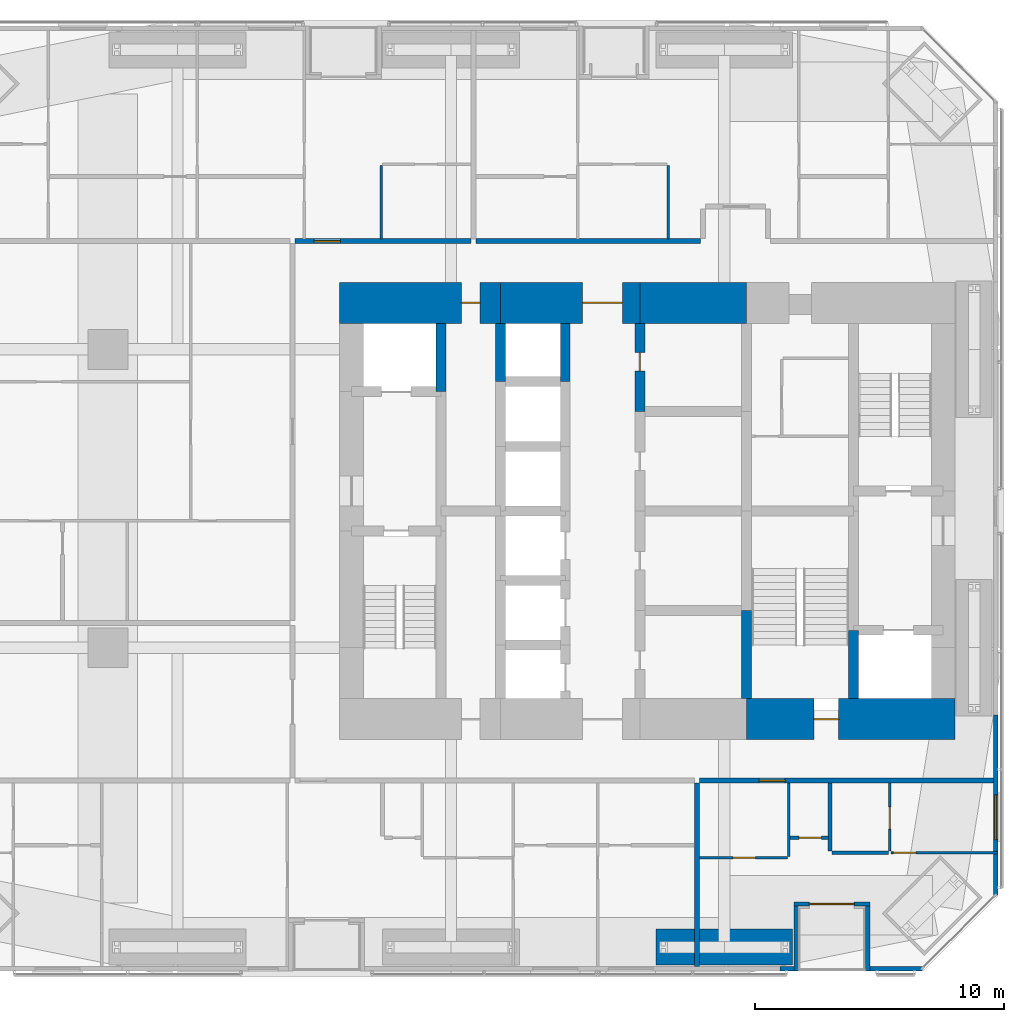
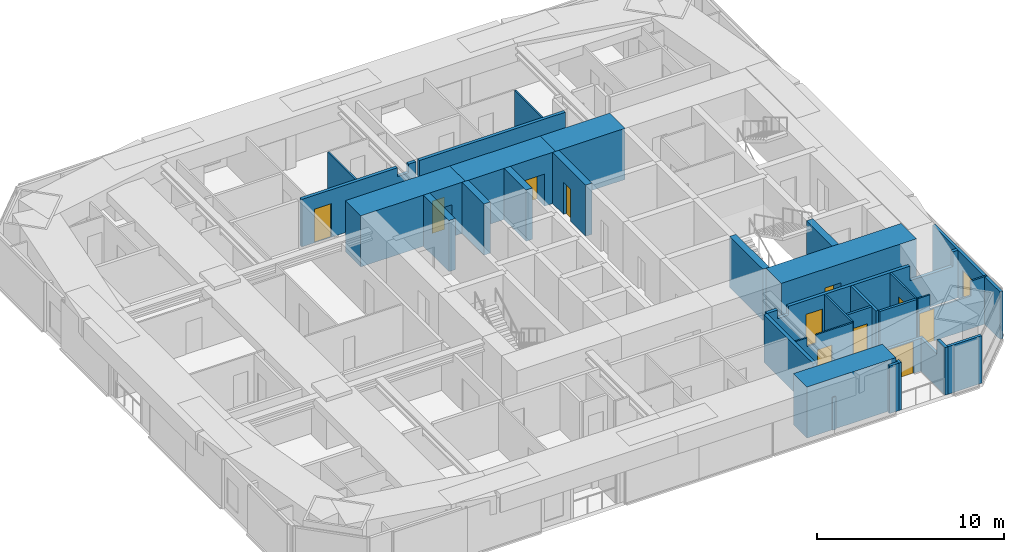
# One storey, part 18 of 22: 30 walls, 11 doors, 1 window, 12 openings.
"""IFC4 building model written with IfcOpenShell, lengths in metres."""

from ifc_helpers import new_model, si_unit, direction, frame, frame_2d, origin, place, context, subcontext, project, spatial, polyline, rectangle, outline, extrude, material, layer, layer_set, constituent, constituent_set, type_object, element, fill, save


model = new_model("IFC4")

# Units and contexts
model_context = context("Model", 3, precision=1e-05, world=origin(), true_north=direction((0.0, 1.0)))
body_context = subcontext(model_context, "Body", "Model", "MODEL_VIEW")
ifc_project = project(units=[si_unit("LENGTHUNIT", "METRE"), si_unit("AREAUNIT", "SQUARE_METRE"), si_unit("VOLUMEUNIT", "CUBIC_METRE"), si_unit("PLANEANGLEUNIT", "RADIAN"), si_unit("MASSUNIT", "GRAM", prefix="KILO")], contexts=[model_context])

# Site, building, storey
site_placement = place(None, origin())
site = spatial("IfcSite", under=ifc_project, at=site_placement, CompositionType="ELEMENT")
building_placement = place(site_placement, origin())
building = spatial("IfcBuilding", under=site, at=building_placement, Name="Jalousie Tower", CompositionType="ELEMENT")
storey_placement = place(building_placement, frame((0.0, 0.0, 67.89990234375)))
storey = spatial("IfcBuildingStorey", under=building, at=storey_placement, Name="L18", CompositionType="ELEMENT", Elevation=67.89990234375)

# Walls
ifc_material_1 = material(Name="Concrete block ASTM C90", Category="concrete")
ifc_constituent_1 = constituent(ifc_material_1, Name="Body")
ifc_material_2 = material(Name="Render")
ifc_constituent_2 = constituent(ifc_material_2, Name="Finish")
ifc_constituent_set_1 = constituent_set(constituents=[ifc_constituent_1, ifc_constituent_2])
wall_type_1 = type_object("IfcWallType", Name="BATHROOM WALL 150", PredefinedType="PLUMBINGWALL", material=ifc_constituent_set_1)
wall_1_placement = place(storey_placement, frame((39.324951171875, 4.74658203125, 0.0), z_axis=(0.0, 0.0, 1.0), x_axis=(1.0, 0.0, 0.0)))
element("IfcWall", 1, at=wall_1_placement, inside=storey, type_object=wall_type_1, Name="Bathroom Wall 150 L18", PredefinedType="PLUMBINGWALL", context=body_context, shape_type="SweptSolid", body=[
    extrude(rectangle(XDim=2.275146484375, YDim=0.14990234375, at=frame_2d((1.1376953125, 0.0))), origin(), (0.0, 0.0, 1.0), 3.110107421875),
])
wall_2_placement = place(storey_placement, frame((39.25, 4.82177734375, 0.0), z_axis=(0.0, 0.0, 1.0), x_axis=(0.0, 1.0, 0.0)))
element("IfcWall", 2, at=wall_2_placement, inside=storey, type_object=wall_type_1, Name="Bathroom Wall 150 L18", PredefinedType="PLUMBINGWALL", context=body_context, shape_type="SweptSolid", body=[
    extrude(rectangle(XDim=2.728271484375, YDim=0.14990234375, at=frame_2d((1.3642578125, 0.0))), origin(), (0.0, 0.0, 1.0), 3.110107421875),
])

# Wall, opening, door
wall_3_placement = place(storey_placement, frame((37.64990234375, 5.35009765625, 0.0), z_axis=(0.0, 0.0, 1.0), x_axis=(1.0, 0.0, 0.0)))
wall_3 = element("IfcWall", 3, at=wall_3_placement, inside=storey, type_object=wall_type_1, Name="Bathroom Wall 150 L18", PredefinedType="PLUMBINGWALL", context=body_context, shape_type="SweptSolid", body=[
    extrude(rectangle(XDim=1.550048828125, YDim=0.14990234375, at=frame_2d((0.77490234375, 0.0))), origin(), (0.0, 0.0, 1.0), 3.110107421875),
])
opening_1_placement = place(wall_3_placement, frame((0.35009765625, 0.0, 0.0)))
opening_1 = element("IfcOpeningElement", 4, at=opening_1_placement, cuts=wall_3, Name="Opening D7", PredefinedType="OPENING", context=body_context, shape_type="SweptSolid", body=[
    extrude(rectangle(XDim=0.89990234375, YDim=2.10009765625, at=frame_2d((0.449951171875, 1.050048828125))), frame((0.0, 0.0849609375, 0.0), z_axis=(0.0, -1.0, 0.0), x_axis=(1.0, 0.0, 0.0)), (0.0, 0.0, 1.0), 0.169921875),
])
ifc_material_3 = material(Name="Timber door", Category="wood")
door_type_1 = type_object("IfcDoorType", Name="INTERNAL DOOR 900", OperationType="SINGLE_SWING_LEFT", PredefinedType="DOOR", material=ifc_material_3)
door_1_placement = place(opening_1_placement, origin())
door_1 = element("IfcDoor", 5, at=door_1_placement, inside=storey, type_object=door_type_1, Name="Apartment 1802 guest WC door", OperationType="SINGLE_SWING_RIGHT", OverallHeight=2.10009765625, OverallWidth=0.89990234375, PredefinedType="DOOR", context=body_context, shape_type="SweptSolid", body=[
    extrude(rectangle(XDim=0.89990234375, YDim=2.10009765625, at=frame_2d((0.449951171875, 1.050048828125))), frame((0.0, 0.02490234375, 0.0), z_axis=(0.0, -1.0, 0.0), x_axis=(1.0, 0.0, 0.0)), (0.0, 0.0, 1.0), 0.050048828125),
])
fill(opening_1, door_1)

ifc_material_4 = material(Name="Concrete f'c 120 MPa", Category="concrete")
ifc_layer_1 = layer(ifc_material_4, 1.64990234375)
ifc_layer_set_1 = layer_set([ifc_layer_1], Name="Concrete f'c 120 MPa")
wall_type_2 = type_object("IfcWallType", Name="CORE WALL 1650", PredefinedType="SHEAR", material=ifc_layer_set_1)
wall_4_placement = place(storey_placement, frame((35.89990234375, 10.125, 0.0), z_axis=(0.0, 0.0, 1.0), x_axis=(1.0, 0.0, 0.0)))
wall_4 = element("IfcWall", 6, at=wall_4_placement, inside=storey, type_object=wall_type_2, Name="Core wall SD L18", PredefinedType="SHEAR", context=body_context, shape_type="SweptSolid", body=[
    extrude(rectangle(XDim=8.375, YDim=1.64990234375, at=frame_2d((4.1875, 0.0))), origin(), (0.0, 0.0, 1.0), 3.35009765625),
])
opening_2_placement = place(wall_4_placement, frame((2.699951171875, 0.0, 0.0)))
opening_2 = element("IfcOpeningElement", 7, at=opening_2_placement, cuts=wall_4, Name="Opening D10", PredefinedType="OPENING", context=body_context, shape_type="SweptSolid", body=[
    extrude(rectangle(XDim=1.0, YDim=2.10009765625, at=frame_2d((0.5, 1.050048828125))), frame((0.0, 0.8349609375, 0.0), z_axis=(0.0, -1.0, 0.0), x_axis=(1.0, 0.0, 0.0)), (0.0, 0.0, 1.0), 1.669921875),
])
ifc_material_5 = material(Name="Steel fire door", Category="steel")
door_type_2 = type_object("IfcDoorType", Name="STAIR DOOR 1000", OperationType="SINGLE_SWING_LEFT", PredefinedType="DOOR", material=ifc_material_5)
door_2_placement = place(opening_2_placement, origin())
door_2 = element("IfcDoor", 8, at=door_2_placement, inside=storey, type_object=door_type_2, Name="Exit stair C door", OperationType="SINGLE_SWING_RIGHT", OverallHeight=2.10009765625, OverallWidth=1.0, PredefinedType="DOOR", context=body_context, shape_type="SweptSolid", body=[
    extrude(rectangle(XDim=1.0, YDim=2.10009765625, at=frame_2d((0.5, 1.050048828125))), frame((0.0, 0.02490234375, 0.0), z_axis=(0.0, -1.0, 0.0), x_axis=(1.0, 0.0, 0.0)), (0.0, 0.0, 1.0), 0.050048828125),
])
fill(opening_2, door_2)

# Wall
wall_5_placement = place(storey_placement, frame((35.89990234375, 26.875, 0.0), z_axis=(0.0, 0.0, 1.0), x_axis=(-1.0, 0.0, 0.0)))
element("IfcWall", 9, at=wall_5_placement, inside=storey, type_object=wall_type_2, Name="Core wall NB L18", PredefinedType="SHEAR", context=body_context, shape_type="SweptSolid", body=[
    extrude(rectangle(XDim=4.2998046875, YDim=1.64990234375, at=frame_2d((2.14990234375, 0.0))), origin(), (0.0, 0.0, 1.0), 3.35009765625),
])

# Wall, opening, door
wall_6_placement = place(storey_placement, frame((31.60009765625, 26.875, 0.0), z_axis=(0.0, 0.0, 1.0), x_axis=(-1.0, 0.0, 0.0)))
wall_6 = element("IfcWall", 10, at=wall_6_placement, inside=storey, type_object=wall_type_2, Name="Core wall NC L18", PredefinedType="SHEAR", context=body_context, shape_type="SweptSolid", body=[
    extrude(rectangle(XDim=5.60009765625, YDim=1.64990234375, at=frame_2d((2.800048828125, 0.0))), origin(), (0.0, 0.0, 1.0), 3.35009765625),
])
opening_3_placement = place(wall_6_placement, frame((0.699951171875, 0.0, 0.0)))
opening_3 = element("IfcOpeningElement", 11, at=opening_3_placement, cuts=wall_6, Name="Opening D15", PredefinedType="OPENING", context=body_context, shape_type="SweptSolid", body=[
    extrude(rectangle(XDim=1.60009765625, YDim=2.10009765625, at=frame_2d((0.800048828125, 1.050048828125))), frame((0.0, 0.8349609375, 0.0), z_axis=(0.0, -1.0, 0.0), x_axis=(1.0, 0.0, 0.0)), (0.0, 0.0, 1.0), 1.669921875),
])
ifc_material_6 = material(Name="Steel fire door", Category="steel")
door_type_3 = type_object("IfcDoorType", Name="LIFT LOBBY DOOR 1600", OperationType="DOUBLE_DOOR_SINGLE_SWING", PredefinedType="DOOR", material=ifc_material_6)
door_3_placement = place(opening_3_placement, origin())
door_3 = element("IfcDoor", 12, at=door_3_placement, inside=storey, type_object=door_type_3, Name="Lift lobby north door", OperationType="DOUBLE_DOOR_SINGLE_SWING", OverallHeight=2.10009765625, OverallWidth=1.60009765625, PredefinedType="DOOR", context=body_context, shape_type="SweptSolid", body=[
    extrude(rectangle(XDim=1.60009765625, YDim=2.10009765625, at=frame_2d((0.800048828125, 1.050048828125))), frame((0.0, 0.02490234375, 0.0), z_axis=(0.0, -1.0, 0.0), x_axis=(1.0, 0.0, 0.0)), (0.0, 0.0, 1.0), 0.050048828125),
])
fill(opening_3, door_3)

wall_7_placement = place(storey_placement, frame((26.0, 26.875, 0.0), z_axis=(0.0, 0.0, 1.0), x_axis=(-1.0, 0.0, 0.0)))
wall_7 = element("IfcWall", 13, at=wall_7_placement, inside=storey, type_object=wall_type_2, Name="Core wall ND L18", PredefinedType="SHEAR", context=body_context, shape_type="SweptSolid", body=[
    extrude(rectangle(XDim=6.47509765625, YDim=1.64990234375, at=frame_2d((3.237548828125, 0.0))), origin(), (0.0, 0.0, 1.0), 3.35009765625),
])
opening_4_placement = place(wall_7_placement, frame((0.824951171875, 0.0, 0.0)))
opening_4 = element("IfcOpeningElement", 14, at=opening_4_placement, cuts=wall_7, Name="Opening D16", PredefinedType="OPENING", context=body_context, shape_type="SweptSolid", body=[
    extrude(rectangle(XDim=0.75, YDim=2.10009765625, at=frame_2d((0.375, 1.050048828125))), frame((0.0, 0.8349609375, 0.0), z_axis=(0.0, -1.0, 0.0), x_axis=(1.0, 0.0, 0.0)), (0.0, 0.0, 1.0), 1.669921875),
])
ifc_material_7 = material(Name="Steel fire door", Category="steel")
door_type_4 = type_object("IfcDoorType", Name="RISER DOOR 750", OperationType="SINGLE_SWING_LEFT", PredefinedType="DOOR", material=ifc_material_7)
door_4_placement = place(opening_4_placement, origin())
door_4 = element("IfcDoor", 15, at=door_4_placement, inside=storey, type_object=door_type_4, Name="North riser door", OperationType="SINGLE_SWING_RIGHT", OverallHeight=2.10009765625, OverallWidth=0.75, PredefinedType="DOOR", context=body_context, shape_type="SweptSolid", body=[
    extrude(rectangle(XDim=0.75, YDim=2.10009765625, at=frame_2d((0.375, 1.050048828125))), frame((0.0, 0.02490234375, 0.0), z_axis=(0.0, -1.0, 0.0), x_axis=(1.0, 0.0, 0.0)), (0.0, 0.0, 1.0), 0.050048828125),
])
fill(opening_4, door_4)

# Walls
ifc_material_8 = material(Name="Concrete f'c 120 MPa", Category="concrete")
ifc_layer_2 = layer(ifc_material_8, 0.39990234375)
ifc_layer_set_2 = layer_set([ifc_layer_2], Name="Concrete f'c 120 MPa")
wall_type_3 = type_object("IfcWallType", Name="CORE WALL 400", PredefinedType="SHEAR", material=ifc_layer_set_2)
wall_8_placement = place(storey_placement, frame((23.60009765625, 23.300048828125, 0.0), z_axis=(0.0, 0.0, 1.0), x_axis=(0.0, 1.0, 0.0)))
element("IfcWall", 16, at=wall_8_placement, inside=storey, type_object=wall_type_3, Name="Core wall X23.6C L18", PredefinedType="SHEAR", context=body_context, shape_type="SweptSolid", body=[
    extrude(rectangle(XDim=2.75, YDim=0.39990234375, at=frame_2d((1.375, 0.0))), origin(), (0.0, 0.0, 1.0), 3.35009765625),
])
for number, where, z_axis, x_axis, name in (
    (17, (26.0, 23.699951171875, 0.0), (0.0, 0.0, 1.0), (0.0, 1.0, 0.0), "Core wall X26F L18"),
    (18, (28.60009765625, 23.699951171875, 0.0), (0.0, 0.0, 1.0), (0.0, 1.0, 0.0), "Core wall X28.6F L18"),
):
    element("IfcWall", number, at=place(storey_placement, frame(where, z_axis=z_axis, x_axis=x_axis)), inside=storey, type_object=wall_type_3, Name=name, PredefinedType="SHEAR", context=body_context, shape_type="SweptSolid", body=[
        extrude(rectangle(XDim=2.35009765625, YDim=0.39990234375, at=frame_2d((1.175048828125, 0.0))), origin(), (0.0, 0.0, 1.0), 3.35009765625),
    ])

# Wall, opening, door
wall_9_placement = place(storey_placement, frame((31.60009765625, 22.5, 0.0), z_axis=(0.0, 0.0, 1.0), x_axis=(0.0, 1.0, 0.0)))
wall_9 = element("IfcWall", 19, at=wall_9_placement, inside=storey, type_object=wall_type_3, Name="Core wall X31.6D L18", PredefinedType="SHEAR", context=body_context, shape_type="SweptSolid", body=[
    extrude(rectangle(XDim=3.550048828125, YDim=0.39990234375, at=frame_2d((1.77490234375, 0.0))), origin(), (0.0, 0.0, 1.0), 3.35009765625),
])
opening_5_placement = place(wall_9_placement, frame((1.625, 0.0, 0.0)))
opening_5 = element("IfcOpeningElement", 20, at=opening_5_placement, cuts=wall_9, Name="Opening D16", PredefinedType="OPENING", context=body_context, shape_type="SweptSolid", body=[
    extrude(rectangle(XDim=0.75, YDim=2.10009765625, at=frame_2d((0.375, 1.050048828125))), frame((0.0, 0.2099609375, 0.0), z_axis=(0.0, -1.0, 0.0), x_axis=(1.0, 0.0, 0.0)), (0.0, 0.0, 1.0), 0.419921875),
])
door_5_placement = place(opening_5_placement, frame((0.75, 0.0, 0.0), z_axis=(0.0, 0.0, 1.0), x_axis=(-1.0, 0.0, 0.0)))
door_5 = element("IfcDoor", 21, at=door_5_placement, inside=storey, type_object=door_type_4, Name="Water Services Room door", OperationType="SINGLE_SWING_LEFT", OverallHeight=2.10009765625, OverallWidth=0.75, PredefinedType="DOOR", context=body_context, shape_type="SweptSolid", body=[
    extrude(rectangle(XDim=0.75, YDim=2.10009765625, at=frame_2d((0.375, 1.050048828125))), frame((0.0, 0.02490234375, 0.0), z_axis=(0.0, -1.0, 0.0), x_axis=(1.0, 0.0, 0.0)), (0.0, 0.0, 1.0), 0.050048828125),
])
fill(opening_5, door_5)

# Walls
wall_10_placement = place(storey_placement, frame((35.89990234375, 10.949951171875, 0.0), z_axis=(0.0, 0.0, 1.0), x_axis=(0.0, 1.0, 0.0)))
element("IfcWall", 22, at=wall_10_placement, inside=storey, type_object=wall_type_3, Name="Core wall X35.9A L18", PredefinedType="SHEAR", context=body_context, shape_type="SweptSolid", body=[
    extrude(rectangle(XDim=3.550048828125, YDim=0.39990234375, at=frame_2d((1.77490234375, 0.0))), origin(), (0.0, 0.0, 1.0), 3.35009765625),
])
wall_11_placement = place(storey_placement, frame((40.199951171875, 10.949951171875, 0.0), z_axis=(0.0, 0.0, 1.0), x_axis=(0.0, 1.0, 0.0)))
element("IfcWall", 23, at=wall_11_placement, inside=storey, type_object=wall_type_3, Name="Core wall X40.2A L18", PredefinedType="SHEAR", context=body_context, shape_type="SweptSolid", body=[
    extrude(rectangle(XDim=2.75, YDim=0.39990234375, at=frame_2d((1.375, 0.0))), origin(), (0.0, 0.0, 1.0), 3.35009765625),
])

# Wall, opening, door
ifc_material_9 = material(Name="Concrete block ASTM C90", Category="concrete")
ifc_constituent_3 = constituent(ifc_material_9, Name="Body")
ifc_material_10 = material(Name="Render")
ifc_constituent_4 = constituent(ifc_material_10, Name="Finish")
ifc_constituent_set_2 = constituent_set(constituents=[ifc_constituent_3, ifc_constituent_4])
wall_type_4 = type_object("IfcWallType", Name="CORRIDOR WALL 200", PredefinedType="PARTITIONING", material=ifc_constituent_set_2)
wall_12_placement = place(storey_placement, frame((34.0, 7.64990234375, 0.0), z_axis=(0.0, 0.0, 1.0), x_axis=(1.0, 0.0, 0.0)))
wall_12 = element("IfcWall", 24, at=wall_12_placement, inside=storey, type_object=wall_type_4, Name="Corridor Wall 200 L18", PredefinedType="PARTITIONING", context=body_context, shape_type="SweptSolid", body=[
    extrude(outline(polyline([(0.0, 0.0), (12.0, 0.0), (12.0, 3.110107421875), (11.509521484375, 3.110107421875), (11.509521484375, 2.150146484375), (8.855224609375, 2.150146484375), (8.855224609375, 3.110107421875), (1.33740234375, 3.110107421875), (1.33740234375, 2.541015625), (0.66259765625, 2.541015625), (0.66259765625, 3.110107421875), (0.0, 3.110107421875), (0.0, 0.0)])), frame((0.0, 0.10009765625, 0.0), z_axis=(0.0, -1.0, 0.0), x_axis=(1.0, 0.0, 0.0)), (0.0, 0.0, 1.0), 0.199951171875),
])
opening_6_placement = place(wall_12_placement, frame((2.39990234375, 0.0, 0.0)))
opening_6 = element("IfcOpeningElement", 25, at=opening_6_placement, cuts=wall_12, Name="Opening D1", PredefinedType="OPENING", context=body_context, shape_type="SweptSolid", body=[
    extrude(rectangle(XDim=1.050048828125, YDim=2.199951171875, at=frame_2d((0.52490234375, 1.10009765625))), frame((0.0, 0.10986328125, 0.0), z_axis=(0.0, -1.0, 0.0), x_axis=(1.0, 0.0, 0.0)), (0.0, 0.0, 1.0), 0.219970703125),
])
ifc_material_11 = material(Name="Timber fire door", Category="wood")
door_type_5 = type_object("IfcDoorType", Name="APARTMENT ENTRANCE DOOR 1050", OperationType="SINGLE_SWING_LEFT", PredefinedType="DOOR", material=ifc_material_11)
door_6_placement = place(opening_6_placement, frame((1.050048828125, 0.0, 0.0), z_axis=(0.0, 0.0, 1.0), x_axis=(-1.0, 0.0, 0.0)))
door_6 = element("IfcDoor", 26, at=door_6_placement, inside=storey, type_object=door_type_5, Name="Apartment 1802 entrance", OperationType="SINGLE_SWING_LEFT", OverallHeight=2.199951171875, OverallWidth=1.050048828125, PredefinedType="DOOR", context=body_context, shape_type="SweptSolid", body=[
    extrude(rectangle(XDim=1.050048828125, YDim=2.199951171875, at=frame_2d((0.52490234375, 1.10009765625))), frame((0.0, 0.02490234375, 0.0), z_axis=(0.0, -1.0, 0.0), x_axis=(1.0, 0.0, 0.0)), (0.0, 0.0, 1.0), 0.050048828125),
])
fill(opening_6, door_6)

wall_13_placement = place(storey_placement, frame((17.72509765625, 29.35009765625, 0.0), z_axis=(0.0, 0.0, 1.0), x_axis=(1.0, 0.0, 0.0)))
wall_13 = element("IfcWall", 27, at=wall_13_placement, inside=storey, type_object=wall_type_4, Name="Corridor Wall 200 L18", PredefinedType="PARTITIONING", context=body_context, shape_type="SweptSolid", body=[
    extrude(outline(polyline([(0.0, 0.0), (7.074951171875, 0.0), (7.074951171875, 3.110107421875), (6.6123046875, 3.110107421875), (6.6123046875, 2.541015625), (5.9375, 2.541015625), (5.9375, 3.110107421875), (0.0, 3.110107421875), (0.0, 0.0)])), frame((0.0, 0.10009765625, 0.0), z_axis=(0.0, -1.0, 0.0), x_axis=(1.0, 0.0, 0.0)), (0.0, 0.0, 1.0), 0.199951171875),
])
opening_7_placement = place(wall_13_placement, frame((0.77490234375, 0.0, 0.0)))
opening_7 = element("IfcOpeningElement", 28, at=opening_7_placement, cuts=wall_13, Name="Opening D1", PredefinedType="OPENING", context=body_context, shape_type="SweptSolid", body=[
    extrude(rectangle(XDim=1.050048828125, YDim=2.199951171875, at=frame_2d((0.52490234375, 1.10009765625))), frame((0.0, 0.10986328125, 0.0), z_axis=(0.0, -1.0, 0.0), x_axis=(1.0, 0.0, 0.0)), (0.0, 0.0, 1.0), 0.219970703125),
])
door_7_placement = place(opening_7_placement, origin())
door_7 = element("IfcDoor", 29, at=door_7_placement, inside=storey, type_object=door_type_5, Name="Apartment 1803 entrance", OperationType="SINGLE_SWING_LEFT", OverallHeight=2.199951171875, OverallWidth=1.050048828125, PredefinedType="DOOR", context=body_context, shape_type="SweptSolid", body=[
    extrude(rectangle(XDim=1.050048828125, YDim=2.199951171875, at=frame_2d((0.52490234375, 1.10009765625))), frame((0.0, 0.02490234375, 0.0), z_axis=(0.0, -1.0, 0.0), x_axis=(1.0, 0.0, 0.0)), (0.0, 0.0, 1.0), 0.050048828125),
])
fill(opening_7, door_7)

# Walls
wall_14_placement = place(storey_placement, frame((25.0, 29.35009765625, 0.0), z_axis=(0.0, 0.0, 1.0), x_axis=(1.0, 0.0, 0.0)))
element("IfcWall", 30, at=wall_14_placement, inside=storey, type_object=wall_type_4, Name="Corridor Wall 200 L18", PredefinedType="PARTITIONING", context=body_context, shape_type="SweptSolid", body=[
    extrude(rectangle(XDim=9.050048828125, YDim=0.199951171875, at=frame_2d((4.52490234375, 0.0))), origin(), (0.0, 0.0, 1.0), 3.110107421875),
])
ifc_material_12 = material(Name="Concrete f'c 40 MPa", Category="concrete")
ifc_constituent_5 = constituent(ifc_material_12, Name="Body")
ifc_material_13 = material(Name="Render, pastel coral")
ifc_constituent_6 = constituent(ifc_material_13, Name="Finish")
ifc_constituent_set_3 = constituent_set(constituents=[ifc_constituent_5, ifc_constituent_6])
wall_type_5 = type_object("IfcWallType", Name="EXTERNAL WALL 175 CORAL RENDER", PredefinedType="SOLIDWALL", material=ifc_constituent_set_3)
wall_15_placement = place(storey_placement, frame((37.234619140625, 0.08740234375, 0.0), z_axis=(0.0, 0.0, 1.0), x_axis=(1.0, 0.0, 0.0)))
element("IfcWall", 31, at=wall_15_placement, inside=storey, type_object=wall_type_5, Name="External Wall 175 Coral Render L18-B", PredefinedType="SOLIDWALL", context=body_context, shape_type="SweptSolid", body=[
    extrude(rectangle(XDim=0.5654296875, YDim=0.175048828125, at=frame_2d((0.28271484375, 0.0))), origin(), (0.0, 0.0, 1.0), 3.110107421875),
])
wall_16_placement = place(storey_placement, frame((40.85009765625, 0.08740234375, 0.0), z_axis=(0.0, 0.0, 1.0), x_axis=(1.0, 0.0, 0.0)))
element("IfcWall", 32, at=wall_16_placement, inside=storey, type_object=wall_type_5, Name="External Wall 175 Coral Render L18", PredefinedType="SOLIDWALL", context=body_context, shape_type="SweptSolid", body=[
    extrude(rectangle(XDim=2.0986328125, YDim=0.175048828125, at=frame_2d((1.04931640625, 0.0))), origin(), (0.0, 0.0, 1.0), 3.110107421875),
])

# Wall, opening, door
wall_17_placement = place(storey_placement, frame((37.800048828125, 2.6875, 0.0), z_axis=(0.0, 0.0, 1.0), x_axis=(1.0, 0.0, 0.0)))
wall_17 = element("IfcWall", 33, at=wall_17_placement, inside=storey, type_object=wall_type_5, Name="External Wall 175 Coral Render L18", PredefinedType="SOLIDWALL", context=body_context, shape_type="SweptSolid", body=[
    extrude(rectangle(XDim=3.050048828125, YDim=0.175048828125, at=frame_2d((1.52490234375, 0.0))), origin(), (0.0, 0.0, 1.0), 2.150146484375),
])
opening_8_placement = place(wall_17_placement, frame((0.625, 0.0, 0.0)))
opening_8 = element("IfcOpeningElement", 34, at=opening_8_placement, cuts=wall_17, Name="Opening D-BAL21", PredefinedType="OPENING", context=body_context, shape_type="SweptSolid", body=[
    extrude(rectangle(XDim=1.800048828125, YDim=2.10009765625, at=frame_2d((0.89990234375, 1.050048828125))), frame((0.0, 0.097412109375, 0.0), z_axis=(0.0, -1.0, 0.0), x_axis=(1.0, 0.0, 0.0)), (0.0, 0.0, 1.0), 0.195068359375),
])
ifc_material_14 = material(Name="Aluminium frame, impact-rated glazing", Category="aluminium")
door_type_6 = type_object("IfcDoorType", Name="BALCONY DOOR 1800x2100", OperationType="SLIDING_TO_LEFT", PredefinedType="DOOR", material=ifc_material_14)
door_8_placement = place(opening_8_placement, origin())
door_8 = element("IfcDoor", 35, at=door_8_placement, inside=storey, type_object=door_type_6, Name="Apartment 1802 living and dining room loggia door", OperationType="SLIDING_TO_LEFT", OverallHeight=2.10009765625, OverallWidth=1.800048828125, PredefinedType="DOOR", context=body_context, shape_type="SweptSolid", body=[
    extrude(rectangle(XDim=1.800048828125, YDim=2.10009765625, at=frame_2d((0.89990234375, 1.050048828125))), frame((0.0, 0.02490234375, 0.0), z_axis=(0.0, -1.0, 0.0), x_axis=(1.0, 0.0, 0.0)), (0.0, 0.0, 1.0), 0.050048828125),
])
fill(opening_8, door_8)

# Walls
wall_18_placement = place(storey_placement, frame((37.887451171875, 0.0, 0.0), z_axis=(0.0, 0.0, 1.0), x_axis=(0.0, 1.0, 0.0)))
element("IfcWall", 36, at=wall_18_placement, inside=storey, type_object=wall_type_5, Name="External Wall 175 Coral Render L18", PredefinedType="SOLIDWALL", context=body_context, shape_type="SweptSolid", body=[
    extrude(outline(polyline([(0.0, 0.0), (2.60009765625, 0.0), (2.60009765625, 2.150146484375), (0.28857421875, 2.150146484375), (0.28857421875, 3.110107421875), (0.0, 3.110107421875), (0.0, 0.0)])), frame((0.0, 0.08740234375, 0.0), z_axis=(0.0, -1.0, 0.0), x_axis=(1.0, 0.0, 0.0)), (0.0, 0.0, 1.0), 0.175048828125),
])
wall_19_placement = place(storey_placement, frame((40.762451171875, 0.0, 0.0), z_axis=(0.0, 0.0, 1.0), x_axis=(0.0, 1.0, 0.0)))
element("IfcWall", 37, at=wall_19_placement, inside=storey, type_object=wall_type_5, Name="External Wall 175 Coral Render L18", PredefinedType="SOLIDWALL", context=body_context, shape_type="SweptSolid", body=[
    extrude(outline(polyline([(0.0, 0.0), (2.60009765625, 0.0), (2.60009765625, 2.150146484375), (0.8662109375, 2.150146484375), (0.8662109375, 3.110107421875), (0.0, 3.110107421875), (0.0, 0.0)])), frame((0.0, 0.08740234375, 0.0), z_axis=(0.0, -1.0, 0.0), x_axis=(1.0, 0.0, 0.0)), (0.0, 0.0, 1.0), 0.175048828125),
])

# Wall, opening, window
wall_20_placement = place(storey_placement, frame((45.91259765625, 3.05126953125, 0.0), z_axis=(0.0, 0.0, 1.0), x_axis=(0.0, 1.0, 0.0)))
wall_20 = element("IfcWall", 38, at=wall_20_placement, inside=storey, type_object=wall_type_5, Name="External Wall 175 Coral Render L18-A", PredefinedType="SOLIDWALL", context=body_context, shape_type="SweptSolid", body=[
    extrude(rectangle(XDim=7.231201171875, YDim=0.175048828125, at=frame_2d((3.61572265625, 0.0))), origin(), (0.0, 0.0, 1.0), 3.110107421875),
])
opening_9_placement = place(wall_20_placement, frame((2.22216796875, 0.0, 0.39990234375)))
opening_9 = element("IfcOpeningElement", 39, at=opening_9_placement, cuts=wall_20, Name="Opening W-BED170", PredefinedType="OPENING", context=body_context, shape_type="SweptSolid", body=[
    extrude(rectangle(XDim=1.800048828125, YDim=1.699951171875, at=frame_2d((0.89990234375, 0.85009765625))), frame((0.0, 0.097412109375, 0.0), z_axis=(0.0, -1.0, 0.0), x_axis=(1.0, 0.0, 0.0)), (0.0, 0.0, 1.0), 0.195068359375),
])
ifc_material_15 = material(Name="Aluminium frame, impact-rated glazing", Category="aluminium")
window_type = type_object("IfcWindowType", Name="WINDOW BED 1800x1700", PartitioningType="SINGLE_PANEL", PredefinedType="WINDOW", material=ifc_material_15)
window_placement = place(opening_9_placement, origin())
window = element("IfcWindow", 40, at=window_placement, inside=storey, type_object=window_type, Name="Apartment 1802 bedroom 1 window", OverallHeight=1.699951171875, OverallWidth=1.800048828125, PartitioningType="SINGLE_PANEL", PredefinedType="WINDOW", context=body_context, shape_type="SweptSolid", body=[
    extrude(rectangle(XDim=1.800048828125, YDim=1.699951171875, at=frame_2d((0.89990234375, 0.85009765625))), frame((0.0, 0.030029296875, 0.0), z_axis=(0.0, -1.0, 0.0), x_axis=(1.0, 0.0, 0.0)), (0.0, 0.0, 1.0), 0.06005859375),
])
fill(opening_9, window)

# Wall, opening, door
ifc_material_16 = material(Name="Gypsum board", Category="gypsum")
ifc_constituent_7 = constituent(ifc_material_16, Name="Body")
ifc_material_17 = material(Name="Light-gauge steel studs ASTM A653 SS Grade 33", Category="steel")
ifc_constituent_8 = constituent(ifc_material_17, Name="Framing")
ifc_constituent_set_4 = constituent_set(constituents=[ifc_constituent_7, ifc_constituent_8])
wall_type_6 = type_object("IfcWallType", Name="PARTITION 100", PredefinedType="PARTITIONING", material=ifc_constituent_set_4)
wall_21_placement = place(storey_placement, frame((41.64990234375, 4.82177734375, 0.0), z_axis=(0.0, 0.0, 1.0), x_axis=(0.0, 1.0, 0.0)))
wall_21 = element("IfcWall", 41, at=wall_21_placement, inside=storey, type_object=wall_type_6, Name="Partition 100 L18", PredefinedType="PARTITIONING", context=body_context, shape_type="SweptSolid", body=[
    extrude(rectangle(XDim=2.728271484375, YDim=0.10009765625, at=frame_2d((1.3642578125, 0.0))), origin(), (0.0, 0.0, 1.0), 3.110107421875),
])
opening_10_placement = place(wall_21_placement, frame((0.876708984375, 0.0, 0.0)))
opening_10 = element("IfcOpeningElement", 42, at=opening_10_placement, cuts=wall_21, Name="Opening D3", PredefinedType="OPENING", context=body_context, shape_type="SweptSolid", body=[
    extrude(rectangle(XDim=0.89990234375, YDim=2.10009765625, at=frame_2d((0.449951171875, 1.050048828125))), frame((0.0, 0.06005859375, 0.0), z_axis=(0.0, -1.0, 0.0), x_axis=(1.0, 0.0, 0.0)), (0.0, 0.0, 1.0), 0.1201171875),
])
ifc_material_18 = material(Name="Timber door", Category="wood")
door_type_7 = type_object("IfcDoorType", Name="BATHROOM DOOR 900", OperationType="SINGLE_SWING_LEFT", PredefinedType="DOOR", material=ifc_material_18)
door_9_placement = place(opening_10_placement, origin())
door_9 = element("IfcDoor", 43, at=door_9_placement, inside=storey, type_object=door_type_7, Name="Apartment 1802 bedroom 1 bathroom door", OperationType="SINGLE_SWING_LEFT", OverallHeight=2.10009765625, OverallWidth=0.89990234375, PredefinedType="DOOR", context=body_context, shape_type="SweptSolid", body=[
    extrude(rectangle(XDim=0.89990234375, YDim=2.10009765625, at=frame_2d((0.449951171875, 1.050048828125))), frame((0.0, 0.02490234375, 0.0), z_axis=(0.0, -1.0, 0.0), x_axis=(1.0, 0.0, 0.0)), (0.0, 0.0, 1.0), 0.050048828125),
])
fill(opening_10, door_9)

wall_22_placement = place(storey_placement, frame((41.699951171875, 4.74658203125, 0.0), z_axis=(0.0, 0.0, 1.0), x_axis=(1.0, 0.0, 0.0)))
wall_22 = element("IfcWall", 44, at=wall_22_placement, inside=storey, type_object=wall_type_6, Name="Partition 100 L18", PredefinedType="PARTITIONING", context=body_context, shape_type="SweptSolid", body=[
    extrude(outline(polyline([(0.0, 0.0), (4.300048828125, 0.0), (4.300048828125, 3.110107421875), (3.2880859375, 3.110107421875), (3.2880859375, 2.150146484375), (0.735107421875, 2.150146484375), (0.735107421875, 3.110107421875), (0.0, 3.110107421875), (0.0, 0.0)])), frame((0.0, 0.050048828125, 0.0), z_axis=(0.0, -1.0, 0.0), x_axis=(1.0, 0.0, 0.0)), (0.0, 0.0, 1.0), 0.10009765625),
])
opening_11_placement = place(wall_22_placement, frame((0.10009765625, 0.0, 0.0)))
opening_11 = element("IfcOpeningElement", 45, at=opening_11_placement, cuts=wall_22, Name="Opening D2", PredefinedType="OPENING", context=body_context, shape_type="SweptSolid", body=[
    extrude(rectangle(XDim=0.89990234375, YDim=2.10009765625, at=frame_2d((0.449951171875, 1.050048828125))), frame((0.0, 0.06005859375, 0.0), z_axis=(0.0, -1.0, 0.0), x_axis=(1.0, 0.0, 0.0)), (0.0, 0.0, 1.0), 0.1201171875),
])
ifc_material_19 = material(Name="Timber door", Category="wood")
door_type_8 = type_object("IfcDoorType", Name="BEDROOM DOOR 900", OperationType="SINGLE_SWING_LEFT", PredefinedType="DOOR", material=ifc_material_19)
door_10_placement = place(opening_11_placement, origin())
door_10 = element("IfcDoor", 46, at=door_10_placement, inside=storey, type_object=door_type_8, Name="Apartment 1802 bedroom 1 door", OperationType="SINGLE_SWING_LEFT", OverallHeight=2.10009765625, OverallWidth=0.89990234375, PredefinedType="DOOR", context=body_context, shape_type="SweptSolid", body=[
    extrude(rectangle(XDim=0.89990234375, YDim=2.10009765625, at=frame_2d((0.449951171875, 1.050048828125))), frame((0.0, 0.02490234375, 0.0), z_axis=(0.0, -1.0, 0.0), x_axis=(1.0, 0.0, 0.0)), (0.0, 0.0, 1.0), 0.050048828125),
])
fill(opening_11, door_10)

wall_23_placement = place(storey_placement, frame((34.0, 4.550048828125, 0.0), z_axis=(0.0, 0.0, 1.0), x_axis=(1.0, 0.0, 0.0)))
wall_23 = element("IfcWall", 47, at=wall_23_placement, inside=storey, type_object=wall_type_6, Name="Partition 100 L18", PredefinedType="PARTITIONING", context=body_context, shape_type="SweptSolid", body=[
    extrude(outline(polyline([(0.0, 0.0), (3.550048828125, 0.0), (3.550048828125, 3.110107421875), (1.287353515625, 3.110107421875), (1.287353515625, 2.541015625), (0.712646484375, 2.541015625), (0.712646484375, 3.110107421875), (0.0, 3.110107421875), (0.0, 0.0)])), frame((0.0, 0.050048828125, 0.0), z_axis=(0.0, -1.0, 0.0), x_axis=(1.0, 0.0, 0.0)), (0.0, 0.0, 1.0), 0.10009765625),
])
opening_12_placement = place(wall_23_placement, frame((1.35009765625, 0.0, 0.0)))
opening_12 = element("IfcOpeningElement", 48, at=opening_12_placement, cuts=wall_23, Name="Opening D7", PredefinedType="OPENING", context=body_context, shape_type="SweptSolid", body=[
    extrude(rectangle(XDim=0.89990234375, YDim=2.10009765625, at=frame_2d((0.449951171875, 1.050048828125))), frame((0.0, 0.06005859375, 0.0), z_axis=(0.0, -1.0, 0.0), x_axis=(1.0, 0.0, 0.0)), (0.0, 0.0, 1.0), 0.1201171875),
])
door_11_placement = place(opening_12_placement, frame((0.89990234375, 0.0, 0.0), z_axis=(0.0, 0.0, 1.0), x_axis=(-1.0, 0.0, 0.0)))
door_11 = element("IfcDoor", 49, at=door_11_placement, inside=storey, type_object=door_type_1, Name="Apartment 1802 kitchen door", OperationType="SINGLE_SWING_RIGHT", OverallHeight=2.10009765625, OverallWidth=0.89990234375, PredefinedType="DOOR", context=body_context, shape_type="SweptSolid", body=[
    extrude(rectangle(XDim=0.89990234375, YDim=2.10009765625, at=frame_2d((0.449951171875, 1.050048828125))), frame((0.0, 0.02490234375, 0.0), z_axis=(0.0, -1.0, 0.0), x_axis=(1.0, 0.0, 0.0)), (0.0, 0.0, 1.0), 0.050048828125),
])
fill(opening_12, door_11)

# Walls
for number, where, z_axis, x_axis, name in (
    (50, (37.60009765625, 4.60009765625, 0.0), (0.0, 0.0, 1.0), (0.0, 1.0, 0.0), "Partition 100 L18"),
    (51, (21.199951171875, 32.39990234375, 0.0), (0.0, 0.0, 1.0), (0.0, -1.0, 0.0), "Partition 100 L18"),
    (52, (32.75, 32.39990234375, 0.0), (0.0, 0.0, 1.0), (0.0, -1.0, 0.0), "Partition 100 L18"),
):
    element("IfcWall", number, at=place(storey_placement, frame(where, z_axis=z_axis, x_axis=x_axis)), inside=storey, type_object=wall_type_6, Name=name, PredefinedType="PARTITIONING", context=body_context, shape_type="SweptSolid", body=[
        extrude(rectangle(XDim=2.949951171875, YDim=0.10009765625, at=frame_2d((1.47509765625, 0.0))), origin(), (0.0, 0.0, 1.0), 3.110107421875),
    ])
ifc_material_20 = material(Name="Concrete block ASTM C90", Category="concrete")
ifc_constituent_9 = constituent(ifc_material_20, Name="Body")
ifc_material_21 = material(Name="Render")
ifc_constituent_10 = constituent(ifc_material_21, Name="Finish")
ifc_constituent_set_5 = constituent_set(constituents=[ifc_constituent_9, ifc_constituent_10])
wall_type_7 = type_object("IfcWallType", Name="PARTY WALL 200", PredefinedType="PARTITIONING", material=ifc_constituent_set_5)
wall_24_placement = place(storey_placement, frame((33.89990234375, 0.175048828125, 0.0), z_axis=(0.0, 0.0, 1.0), x_axis=(0.0, 1.0, 0.0)))
element("IfcWall", 53, at=wall_24_placement, inside=storey, type_object=wall_type_7, Name="Party Wall 200 L18", PredefinedType="PARTITIONING", context=body_context, shape_type="SweptSolid", body=[
    extrude(outline(polyline([(0.52880859375, 2.150146484375), (0.0, 2.150146484375), (0.0, 0.0), (0.52880859375, 0.0), (0.52880859375, 0.752197265625), (1.021240234375, 0.752197265625), (1.021240234375, 0.0), (7.375, 0.0), (7.375, 3.110107421875), (2.0849609375, 3.110107421875), (2.0849609375, 2.150146484375), (1.021240234375, 2.150146484375), (1.021240234375, 1.39794921875), (0.52880859375, 1.39794921875), (0.52880859375, 2.150146484375)])), frame((0.0, 0.10009765625, 0.0), z_axis=(0.0, -1.0, 0.0), x_axis=(1.0, 0.0, 0.0)), (0.0, 0.0, 1.0), 0.199951171875),
])
ifc_material_22 = material(Name="Concrete f'c 120 MPa", Category="concrete")
ifc_layer_3 = layer(ifc_material_22, 1.449951171875)
ifc_layer_set_3 = layer_set([ifc_layer_3], Name="Concrete f'c 120 MPa")
wall_type_8 = type_object("IfcWallType", Name="RC WALL PIER 1450", PredefinedType="SHEAR", material=ifc_layer_set_3)
wall_25_placement = place(storey_placement, frame((32.25, 0.949951171875, 0.0), z_axis=(0.0, 0.0, 1.0), x_axis=(1.0, 0.0, 0.0)))
element("IfcWall", 54, at=wall_25_placement, inside=storey, type_object=wall_type_8, Name="Wall pier 04 L18", PredefinedType="SHEAR", context=body_context, shape_type="SweptSolid", body=[
    extrude(rectangle(XDim=5.5, YDim=1.449951171875, at=frame_2d((2.75, 0.0))), origin(), (0.0, 0.0, 1.0), 3.35009765625),
])

save(model, "model.ifc")
